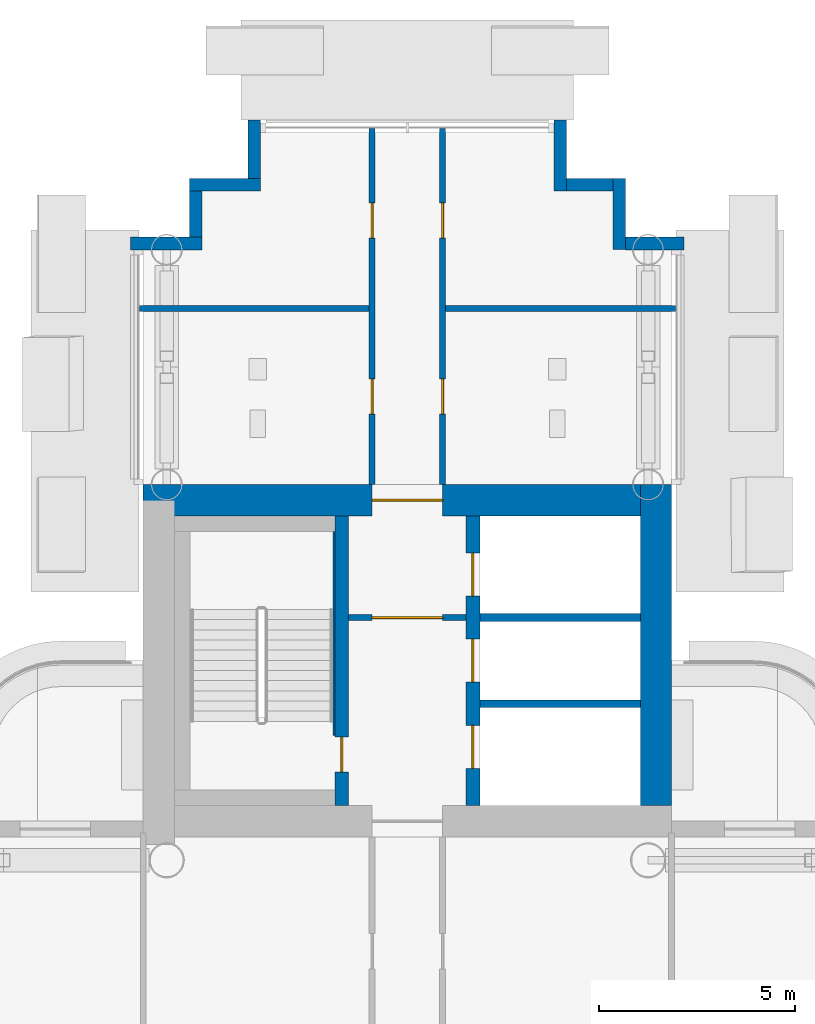
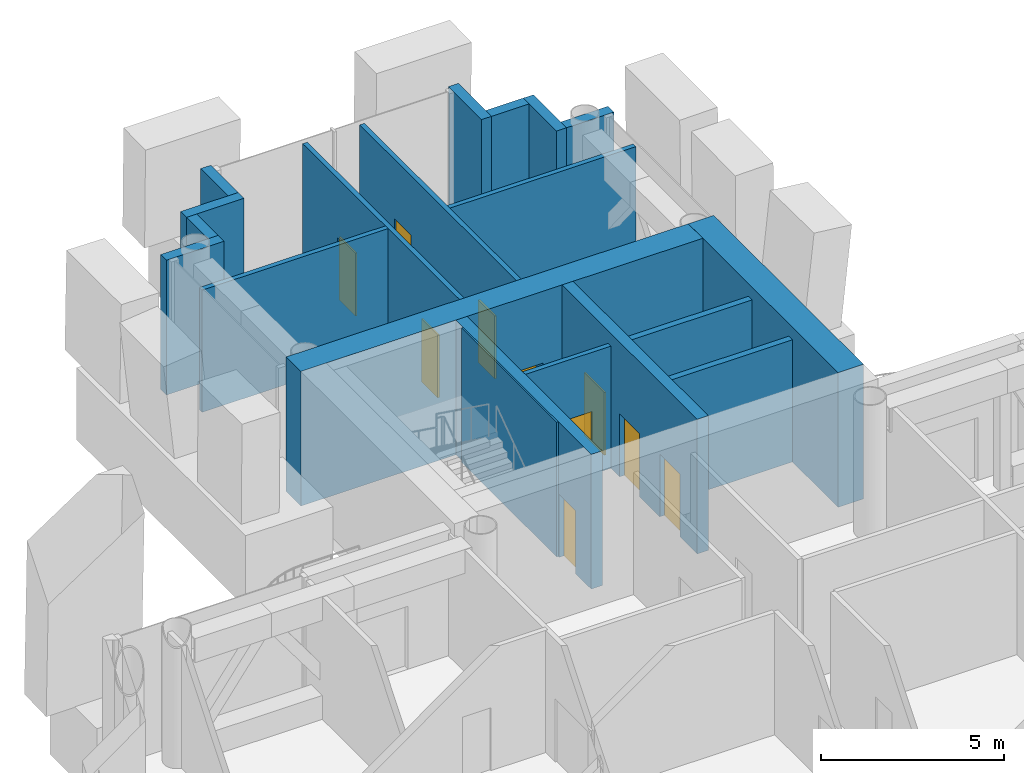
# One storey, part 17 of 26: 20 walls, 10 doors, 10 openings.
"""IFC4 building model written with IfcOpenShell, lengths in metres."""

from ifc_helpers import new_model, si_unit, direction, frame, frame_2d, origin, place, context, subcontext, project, spatial, rectangle, extrude, material, layer, layer_set, type_object, element, fill, save


model = new_model("IFC4")

# Units and contexts
model_context = context("Model", 3, precision=1e-05, world=origin(), true_north=direction((0.0, 1.0)))
body_context = subcontext(model_context, "Body", "Model", "MODEL_VIEW")
ifc_project = project(units=[si_unit("LENGTHUNIT", "METRE"), si_unit("AREAUNIT", "SQUARE_METRE"), si_unit("VOLUMEUNIT", "CUBIC_METRE"), si_unit("PLANEANGLEUNIT", "RADIAN"), si_unit("MASSUNIT", "GRAM", prefix="KILO")], contexts=[model_context])

# Site, building, storey
site_placement = place(None, origin())
site = spatial("IfcSite", under=ifc_project, at=site_placement, CompositionType="ELEMENT")
building_placement = place(site_placement, origin())
building = spatial("IfcBuilding", under=site, at=building_placement, Name="Ipe Terrace Towers", CompositionType="ELEMENT")
storey_placement = place(building_placement, frame((0.0, 0.0, 181.300048828125)))
storey = spatial("IfcBuildingStorey", under=building, at=storey_placement, Name="L50", CompositionType="ELEMENT", Elevation=181.300048828125)

# Walls
ifc_material_1 = material(Name="Concrete C40/50 with buff precast cladding", Category="concrete")
ifc_layer_1 = layer(ifc_material_1, 0.320068359375)
ifc_layer_set_1 = layer_set([ifc_layer_1], Name="BUFF CLADDING WALL 320")
wall_type_1 = type_object("IfcWallType", Name="BUFF CLADDING WALL 320", PredefinedType="STANDARD", material=ifc_layer_set_1)
wall_1_placement = place(storey_placement, frame((43.070068359375, 21.909912109375, -0.300048828125), z_axis=(0.0, 0.0, 1.0), x_axis=(-1.0, 0.0, 0.0)))
element("IfcWall", 1, at=wall_1_placement, inside=storey, type_object=wall_type_1, Name="T2-W-L50-17a wall", PredefinedType="STANDARD", context=body_context, shape_type="SweptSolid", body=[
    extrude(rectangle(XDim=1.5, YDim=0.320068359375, at=frame_2d((0.75, 0.0))), origin(), (0.0, 0.0, 1.0), 4.5),
])
wall_2_placement = place(storey_placement, frame((41.409912109375, 21.75, -0.300048828125), z_axis=(0.0, 0.0, 1.0), x_axis=(0.0, 1.0, 0.0)))
element("IfcWall", 2, at=wall_2_placement, inside=storey, type_object=wall_type_1, Name="T2-W-L50-18a wall", PredefinedType="STANDARD", context=body_context, shape_type="SweptSolid", body=[
    extrude(rectangle(XDim=1.820068359375, YDim=0.320068359375, at=frame_2d((0.91015625, 0.0))), origin(), (0.0, 0.0, 1.0), 4.5),
])
wall_3_placement = place(storey_placement, frame((41.25, 23.409912109375, -0.300048828125), z_axis=(0.0, 0.0, 1.0), x_axis=(-1.0, 0.0, 0.0)))
element("IfcWall", 3, at=wall_3_placement, inside=storey, type_object=wall_type_1, Name="T2-W-L50-19a wall", PredefinedType="STANDARD", context=body_context, shape_type="SweptSolid", body=[
    extrude(rectangle(XDim=1.179931640625, YDim=0.320068359375, at=frame_2d((0.58984375, 0.0))), origin(), (0.0, 0.0, 1.0), 4.5),
])
wall_4_placement = place(storey_placement, frame((39.909912109375, 23.25, -0.300048828125), z_axis=(0.0, 0.0, 1.0), x_axis=(0.0, 1.0, 0.0)))
element("IfcWall", 4, at=wall_4_placement, inside=storey, type_object=wall_type_1, Name="T2-W-L50-20a wall", PredefinedType="STANDARD", context=body_context, shape_type="SweptSolid", body=[
    extrude(rectangle(XDim=1.820068359375, YDim=0.320068359375, at=frame_2d((0.91015625, 0.0))), origin(), (0.0, 0.0, 1.0), 4.5),
])
wall_5_placement = place(storey_placement, frame((32.090087890625, 25.070068359375, -0.300048828125), z_axis=(0.0, 0.0, 1.0), x_axis=(0.0, -1.0, 0.0)))
element("IfcWall", 5, at=wall_5_placement, inside=storey, type_object=wall_type_1, Name="T2-W-L50-22a wall", PredefinedType="STANDARD", context=body_context, shape_type="SweptSolid", body=[
    extrude(rectangle(XDim=1.5, YDim=0.320068359375, at=frame_2d((0.75, 0.0))), origin(), (0.0, 0.0, 1.0), 4.5),
])
wall_6_placement = place(storey_placement, frame((32.25, 23.409912109375, -0.300048828125), z_axis=(0.0, 0.0, 1.0), x_axis=(-1.0, 0.0, 0.0)))
element("IfcWall", 6, at=wall_6_placement, inside=storey, type_object=wall_type_1, Name="T2-W-L50-23a wall", PredefinedType="STANDARD", context=body_context, shape_type="SweptSolid", body=[
    extrude(rectangle(XDim=1.820068359375, YDim=0.320068359375, at=frame_2d((0.91015625, 0.0))), origin(), (0.0, 0.0, 1.0), 4.5),
])
wall_7_placement = place(storey_placement, frame((30.590087890625, 23.25, -0.300048828125), z_axis=(0.0, 0.0, 1.0), x_axis=(0.0, -1.0, 0.0)))
element("IfcWall", 7, at=wall_7_placement, inside=storey, type_object=wall_type_1, Name="T2-W-L50-24a wall", PredefinedType="STANDARD", context=body_context, shape_type="SweptSolid", body=[
    extrude(rectangle(XDim=1.179931640625, YDim=0.320068359375, at=frame_2d((0.58984375, 0.0))), origin(), (0.0, 0.0, 1.0), 4.5),
])
wall_8_placement = place(storey_placement, frame((30.75, 21.909912109375, -0.300048828125), z_axis=(0.0, 0.0, 1.0), x_axis=(-1.0, 0.0, 0.0)))
element("IfcWall", 8, at=wall_8_placement, inside=storey, type_object=wall_type_1, Name="T2-W-L50-25a wall", PredefinedType="STANDARD", context=body_context, shape_type="SweptSolid", body=[
    extrude(rectangle(XDim=1.820068359375, YDim=0.320068359375, at=frame_2d((0.91015625, 0.0))), origin(), (0.0, 0.0, 1.0), 4.5),
])

# Wall, opening, door
ifc_material_2 = material(Name="Gypsum board partition", Category="plasterboard")
ifc_layer_2 = layer(ifc_material_2, 0.14990234375)
ifc_layer_set_2 = layer_set([ifc_layer_2], Name="Gypsum board partition 150 mm")
wall_type_2 = type_object("IfcWallType", Name="Gypsum board partition 150 mm", PredefinedType="PARTITIONING", material=ifc_layer_set_2)
wall_9_placement = place(storey_placement, frame((37.5, 12.35009765625, 0.0), z_axis=(0.0, 0.0, 1.0), x_axis=(-1.0, 0.0, 0.0)))
wall_9 = element("IfcWall", 9, at=wall_9_placement, inside=storey, type_object=wall_type_2, Name="Gypsum board partition T2 L50 t2c1-lobby-wall", PredefinedType="PARTITIONING", context=body_context, shape_type="SweptSolid", body=[
    extrude(rectangle(XDim=3.0, YDim=0.14990234375, at=frame_2d((1.5, 0.0))), origin(), (0.0, 0.0, 1.0), 4.079833984375),
])
opening_1_placement = place(wall_9_placement, frame((0.60009765625, 0.0, 0.0)))
opening_1 = element("IfcOpeningElement", 10, at=opening_1_placement, cuts=wall_9, Name="Opening T2C1-VD", PredefinedType="OPENING", context=body_context, shape_type="SweptSolid", body=[
    extrude(rectangle(XDim=1.800048828125, YDim=2.10009765625, at=frame_2d((0.89990234375, 1.050048828125))), frame((0.0, 0.0849609375, 0.0), z_axis=(0.0, -1.0, 0.0), x_axis=(1.0, 0.0, 0.0)), (0.0, 0.0, 1.0), 0.169921875),
])
ifc_material_3 = material(Name="Fire-rated timber door leaf", Category="wood")
door_type_1 = type_object("IfcDoorType", Name="Lobby door 1800 x 2100 FD60", OperationType="NOTDEFINED", PredefinedType="DOOR", material=ifc_material_3)
door_1_placement = place(opening_1_placement, origin())
door_1 = element("IfcDoor", 11, at=door_1_placement, inside=storey, type_object=door_type_1, Name="Lobby door T2C1-VD", OperationType="SINGLE_SWING_LEFT", OverallHeight=2.10009765625, OverallWidth=1.800048828125, PredefinedType="DOOR", context=body_context, shape_type="SweptSolid", body=[
    extrude(rectangle(XDim=1.800048828125, YDim=2.10009765625, at=frame_2d((0.89990234375, 1.050048828125))), frame((0.0, 0.02490234375, 0.0), z_axis=(0.0, -1.0, 0.0), x_axis=(1.0, 0.0, 0.0)), (0.0, 0.0, 1.0), 0.050048828125),
])
fill(opening_1, door_1)

# Wall, openings, doors
wall_10_placement = place(storey_placement, frame((35.10009765625, 15.75, 0.0), z_axis=(0.0, 0.0, 1.0), x_axis=(0.0, 1.0, 0.0)))
wall_10 = element("IfcWall", 12, at=wall_10_placement, inside=storey, type_object=wall_type_2, Name="Gypsum board partition T2 L50 sp-Lp-wp", PredefinedType="PARTITIONING", context=body_context, shape_type="SweptSolid", body=[
    extrude(rectangle(XDim=9.10009765625, YDim=0.14990234375, at=frame_2d((4.550048828125, 0.0))), origin(), (0.0, 0.0, 1.0), 4.079833984375),
])
opening_2_placement = place(wall_10_placement, frame((1.800048828125, 0.0, 0.0)))
opening_2 = element("IfcOpeningElement", 13, at=opening_2_placement, cuts=wall_10, Name="Opening T2-SP-PLp1", PredefinedType="OPENING", context=body_context, shape_type="SweptSolid", body=[
    extrude(rectangle(XDim=0.89990234375, YDim=2.10009765625, at=frame_2d((0.449951171875, 1.050048828125))), frame((0.0, 0.0849609375, 0.0), z_axis=(0.0, -1.0, 0.0), x_axis=(1.0, 0.0, 0.0)), (0.0, 0.0, 1.0), 0.169921875),
])
opening_3_placement = place(wall_10_placement, frame((6.300048828125, 0.0, 0.0)))
opening_3 = element("IfcOpeningElement", 14, at=opening_3_placement, cuts=wall_10, Name="Opening T2-SP-PLp2", PredefinedType="OPENING", context=body_context, shape_type="SweptSolid", body=[
    extrude(rectangle(XDim=0.89990234375, YDim=2.10009765625, at=frame_2d((0.449951171875, 1.050048828125))), frame((0.0, 0.0849609375, 0.0), z_axis=(0.0, -1.0, 0.0), x_axis=(1.0, 0.0, 0.0)), (0.0, 0.0, 1.0), 0.169921875),
])
ifc_material_4 = material(Name="Timber door leaf", Category="wood")
door_type_2 = type_object("IfcDoorType", Name="Lounge door 900 x 2100", OperationType="NOTDEFINED", PredefinedType="DOOR", material=ifc_material_4)
door_2_placement = place(opening_2_placement, origin())
door_2 = element("IfcDoor", 15, at=door_2_placement, inside=storey, type_object=door_type_2, Name="Lounge door T2-SP-PLp1", OperationType="SINGLE_SWING_RIGHT", OverallHeight=2.10009765625, OverallWidth=0.89990234375, PredefinedType="DOOR", context=body_context, shape_type="SweptSolid", body=[
    extrude(rectangle(XDim=0.89990234375, YDim=2.10009765625, at=frame_2d((0.449951171875, 1.050048828125))), frame((0.0, 0.02490234375, 0.0), z_axis=(0.0, -1.0, 0.0), x_axis=(1.0, 0.0, 0.0)), (0.0, 0.0, 1.0), 0.050048828125),
])
fill(opening_2, door_2)
ifc_material_5 = material(Name="Fire-rated timber door leaf", Category="wood")
door_type_3 = type_object("IfcDoorType", Name="Lounge door 900 x 2100 FD30S", OperationType="NOTDEFINED", PredefinedType="DOOR", material=ifc_material_5)
door_3_placement = place(opening_3_placement, origin())
door_3 = element("IfcDoor", 16, at=door_3_placement, inside=storey, type_object=door_type_3, Name="Lounge door T2-SP-PLp2", OperationType="SINGLE_SWING_LEFT", OverallHeight=2.10009765625, OverallWidth=0.89990234375, PredefinedType="DOOR", context=body_context, shape_type="SweptSolid", body=[
    extrude(rectangle(XDim=0.89990234375, YDim=2.10009765625, at=frame_2d((0.449951171875, 1.050048828125))), frame((0.0, 0.02490234375, 0.0), z_axis=(0.0, -1.0, 0.0), x_axis=(1.0, 0.0, 0.0)), (0.0, 0.0, 1.0), 0.050048828125),
])
fill(opening_3, door_3)

# Wall
wall_11_placement = place(storey_placement, frame((35.02490234375, 20.25, 0.0), z_axis=(0.0, 0.0, 1.0), x_axis=(-1.0, 0.0, 0.0)))
element("IfcWall", 17, at=wall_11_placement, inside=storey, type_object=wall_type_2, Name="Gypsum board partition T2 L50 sp-Lp-dp1", PredefinedType="PARTITIONING", context=body_context, shape_type="SweptSolid", body=[
    extrude(rectangle(XDim=5.875, YDim=0.14990234375, at=frame_2d((2.9375, 0.0))), origin(), (0.0, 0.0, 1.0), 4.079833984375),
])

# Wall, openings, doors
wall_12_placement = place(storey_placement, frame((36.89990234375, 15.75, 0.0), z_axis=(0.0, 0.0, 1.0), x_axis=(0.0, 1.0, 0.0)))
wall_12 = element("IfcWall", 18, at=wall_12_placement, inside=storey, type_object=wall_type_2, Name="Gypsum board partition T2 L50 sp-Lp-wm", PredefinedType="PARTITIONING", context=body_context, shape_type="SweptSolid", body=[
    extrude(rectangle(XDim=9.10009765625, YDim=0.14990234375, at=frame_2d((4.550048828125, 0.0))), origin(), (0.0, 0.0, 1.0), 4.079833984375),
])
opening_4_placement = place(wall_12_placement, frame((1.800048828125, 0.0, 0.0)))
opening_4 = element("IfcOpeningElement", 19, at=opening_4_placement, cuts=wall_12, Name="Opening T2-SP-MLp1", PredefinedType="OPENING", context=body_context, shape_type="SweptSolid", body=[
    extrude(rectangle(XDim=0.89990234375, YDim=2.10009765625, at=frame_2d((0.449951171875, 1.050048828125))), frame((0.0, 0.0849609375, 0.0), z_axis=(0.0, -1.0, 0.0), x_axis=(1.0, 0.0, 0.0)), (0.0, 0.0, 1.0), 0.169921875),
])
opening_5_placement = place(wall_12_placement, frame((6.300048828125, 0.0, 0.0)))
opening_5 = element("IfcOpeningElement", 20, at=opening_5_placement, cuts=wall_12, Name="Opening T2-SP-MLp2", PredefinedType="OPENING", context=body_context, shape_type="SweptSolid", body=[
    extrude(rectangle(XDim=0.89990234375, YDim=2.10009765625, at=frame_2d((0.449951171875, 1.050048828125))), frame((0.0, 0.0849609375, 0.0), z_axis=(0.0, -1.0, 0.0), x_axis=(1.0, 0.0, 0.0)), (0.0, 0.0, 1.0), 0.169921875),
])
door_4_placement = place(opening_4_placement, origin())
door_4 = element("IfcDoor", 21, at=door_4_placement, inside=storey, type_object=door_type_2, Name="Lounge door T2-SP-MLp1", OperationType="SINGLE_SWING_LEFT", OverallHeight=2.10009765625, OverallWidth=0.89990234375, PredefinedType="DOOR", context=body_context, shape_type="SweptSolid", body=[
    extrude(rectangle(XDim=0.89990234375, YDim=2.10009765625, at=frame_2d((0.449951171875, 1.050048828125))), frame((0.0, 0.02490234375, 0.0), z_axis=(0.0, -1.0, 0.0), x_axis=(1.0, 0.0, 0.0)), (0.0, 0.0, 1.0), 0.050048828125),
])
fill(opening_4, door_4)
door_5_placement = place(opening_5_placement, origin())
door_5 = element("IfcDoor", 22, at=door_5_placement, inside=storey, type_object=door_type_3, Name="Lounge door T2-SP-MLp2", OperationType="SINGLE_SWING_RIGHT", OverallHeight=2.10009765625, OverallWidth=0.89990234375, PredefinedType="DOOR", context=body_context, shape_type="SweptSolid", body=[
    extrude(rectangle(XDim=0.89990234375, YDim=2.10009765625, at=frame_2d((0.449951171875, 1.050048828125))), frame((0.0, 0.02490234375, 0.0), z_axis=(0.0, -1.0, 0.0), x_axis=(1.0, 0.0, 0.0)), (0.0, 0.0, 1.0), 0.050048828125),
])
fill(opening_5, door_5)

# Walls
wall_13_placement = place(storey_placement, frame((36.97509765625, 20.25, 0.0), z_axis=(0.0, 0.0, 1.0), x_axis=(1.0, 0.0, 0.0)))
element("IfcWall", 23, at=wall_13_placement, inside=storey, type_object=wall_type_2, Name="Gypsum board partition T2 L50 sp-Lp-dm1", PredefinedType="PARTITIONING", context=body_context, shape_type="SweptSolid", body=[
    extrude(rectangle(XDim=5.875, YDim=0.14990234375, at=frame_2d((2.9375, 0.0))), origin(), (0.0, 0.0, 1.0), 4.079833984375),
])
ifc_material_6 = material(Name="Gypsum board party wall", Category="plasterboard")
ifc_layer_3 = layer(ifc_material_6, 0.199951171875)
ifc_layer_set_3 = layer_set([ifc_layer_3], Name="Gypsum board party wall 200 mm")
wall_type_3 = type_object("IfcWallType", Name="Gypsum board party wall 200 mm", PredefinedType="SOLIDWALL", material=ifc_layer_set_3)
for number, where, z_axis, x_axis, name in (
    (24, (41.949951171875, 10.14990234375, 0.0), (0.0, 0.0, 1.0), (-1.0, 0.0, 0.0), "Gypsum board party wall T2 L50 t2c1-shaft-div1"),
    (25, (41.949951171875, 12.35009765625, 0.0), (0.0, 0.0, 1.0), (-1.0, 0.0, 0.0), "Gypsum board party wall T2 L50 t2c1-shaft-div2"),
):
    element("IfcWall", number, at=place(storey_placement, frame(where, z_axis=z_axis, x_axis=x_axis)), inside=storey, type_object=wall_type_3, Name=name, PredefinedType="SOLIDWALL", context=body_context, shape_type="SweptSolid", body=[
        extrude(rectangle(XDim=4.099853515625, YDim=0.199951171875, at=frame_2d((2.0498046875, 0.0))), origin(), (0.0, 0.0, 1.0), 4.079833984375),
    ])

# Wall, opening, door
ifc_material_7 = material(Name="Concrete C50/60", Category="concrete")
ifc_layer_4 = layer(ifc_material_7, 0.35009765625)
ifc_layer_set_4 = layer_set([ifc_layer_4], Name="RW350 CORE SPINE WALL 350 C50-60")
wall_type_4 = type_object("IfcWallType", Name="RW350 CORE SPINE WALL 350 C50-60", PredefinedType="SHEAR", material=ifc_layer_set_4)
wall_14_placement = place(storey_placement, frame((34.324951171875, 7.550048828125, 0.0), z_axis=(0.0, 0.0, 1.0), x_axis=(0.0, 1.0, 0.0)))
wall_14 = element("IfcWall", 26, at=wall_14_placement, inside=storey, type_object=wall_type_4, Name="Core spine wall T2-C1-Z3-SW1", PredefinedType="SHEAR", context=body_context, shape_type="SweptSolid", body=[
    extrude(rectangle(XDim=7.39990234375, YDim=0.35009765625, at=frame_2d((3.699951171875, 0.0))), origin(), (0.0, 0.0, 1.0), 4.5),
])
opening_6_placement = place(wall_14_placement, frame((0.85009765625, 0.0, 0.0)))
opening_6 = element("IfcOpeningElement", 27, at=opening_6_placement, cuts=wall_14, Name="Opening T2C1-SD", PredefinedType="OPENING", context=body_context, shape_type="SweptSolid", body=[
    extrude(rectangle(XDim=0.89990234375, YDim=2.10009765625, at=frame_2d((0.449951171875, 1.050048828125))), frame((0.0, 0.18505859375, 0.0), z_axis=(0.0, -1.0, 0.0), x_axis=(1.0, 0.0, 0.0)), (0.0, 0.0, 1.0), 0.3701171875),
])
ifc_material_8 = material(Name="Fire-rated timber door leaf", Category="wood")
door_type_4 = type_object("IfcDoorType", Name="Stair door 900 x 2100 FD60", OperationType="NOTDEFINED", PredefinedType="DOOR", material=ifc_material_8)
door_6_placement = place(opening_6_placement, origin())
door_6 = element("IfcDoor", 28, at=door_6_placement, inside=storey, type_object=door_type_4, Name="Stair door T2C1-SD", OperationType="SINGLE_SWING_LEFT", OverallHeight=2.10009765625, OverallWidth=0.89990234375, PredefinedType="DOOR", context=body_context, shape_type="SweptSolid", body=[
    extrude(rectangle(XDim=0.89990234375, YDim=2.10009765625, at=frame_2d((0.449951171875, 1.050048828125))), frame((0.0, 0.02490234375, 0.0), z_axis=(0.0, -1.0, 0.0), x_axis=(1.0, 0.0, 0.0)), (0.0, 0.0, 1.0), 0.050048828125),
])
fill(opening_6, door_6)

# Wall, openings, doors
wall_15_placement = place(storey_placement, frame((37.675048828125, 7.550048828125, 0.0), z_axis=(0.0, 0.0, 1.0), x_axis=(0.0, 1.0, 0.0)))
wall_15 = element("IfcWall", 29, at=wall_15_placement, inside=storey, type_object=wall_type_4, Name="Core spine wall T2-C1-Z3-SW2", PredefinedType="SHEAR", context=body_context, shape_type="SweptSolid", body=[
    extrude(rectangle(XDim=7.39990234375, YDim=0.35009765625, at=frame_2d((3.699951171875, 0.0))), origin(), (0.0, 0.0, 1.0), 4.5),
])
opening_7_placement = place(wall_15_placement, frame((0.949951171875, 0.0, 0.0)))
opening_7 = element("IfcOpeningElement", 30, at=opening_7_placement, cuts=wall_15, Name="Opening T2C1-LD1", PredefinedType="OPENING", context=body_context, shape_type="SweptSolid", body=[
    extrude(rectangle(XDim=1.10009765625, YDim=2.10009765625, at=frame_2d((0.550048828125, 1.050048828125))), frame((0.0, 0.18505859375, 0.0), z_axis=(0.0, -1.0, 0.0), x_axis=(1.0, 0.0, 0.0)), (0.0, 0.0, 1.0), 0.3701171875),
])
opening_8_placement = place(wall_15_placement, frame((3.14990234375, 0.0, 0.0)))
opening_8 = element("IfcOpeningElement", 31, at=opening_8_placement, cuts=wall_15, Name="Opening T2C1-LD2", PredefinedType="OPENING", context=body_context, shape_type="SweptSolid", body=[
    extrude(rectangle(XDim=1.10009765625, YDim=2.10009765625, at=frame_2d((0.550048828125, 1.050048828125))), frame((0.0, 0.18505859375, 0.0), z_axis=(0.0, -1.0, 0.0), x_axis=(1.0, 0.0, 0.0)), (0.0, 0.0, 1.0), 0.3701171875),
])
opening_9_placement = place(wall_15_placement, frame((5.35009765625, 0.0, 0.0)))
opening_9 = element("IfcOpeningElement", 32, at=opening_9_placement, cuts=wall_15, Name="Opening T2C1-LD3", PredefinedType="OPENING", context=body_context, shape_type="SweptSolid", body=[
    extrude(rectangle(XDim=1.10009765625, YDim=2.10009765625, at=frame_2d((0.550048828125, 1.050048828125))), frame((0.0, 0.18505859375, 0.0), z_axis=(0.0, -1.0, 0.0), x_axis=(1.0, 0.0, 0.0)), (0.0, 0.0, 1.0), 0.3701171875),
])
ifc_material_9 = material(Name="Fire-rated timber door leaf", Category="wood")
door_type_5 = type_object("IfcDoorType", Name="Sliding door 1100 x 2100 FD60", OperationType="SLIDING_TO_LEFT", PredefinedType="DOOR", material=ifc_material_9)
door_7_placement = place(opening_7_placement, origin())
door_7 = element("IfcDoor", 33, at=door_7_placement, inside=storey, type_object=door_type_5, Name="Sliding door T2C1-LD1", OperationType="SLIDING_TO_LEFT", OverallHeight=2.10009765625, OverallWidth=1.10009765625, PredefinedType="DOOR", context=body_context, shape_type="SweptSolid", body=[
    extrude(rectangle(XDim=1.10009765625, YDim=2.10009765625, at=frame_2d((0.550048828125, 1.050048828125))), frame((0.0, 0.02490234375, 0.0), z_axis=(0.0, -1.0, 0.0), x_axis=(1.0, 0.0, 0.0)), (0.0, 0.0, 1.0), 0.050048828125),
])
fill(opening_7, door_7)
door_8_placement = place(opening_8_placement, origin())
door_8 = element("IfcDoor", 34, at=door_8_placement, inside=storey, type_object=door_type_5, Name="Sliding door T2C1-LD2", OperationType="SLIDING_TO_LEFT", OverallHeight=2.10009765625, OverallWidth=1.10009765625, PredefinedType="DOOR", context=body_context, shape_type="SweptSolid", body=[
    extrude(rectangle(XDim=1.10009765625, YDim=2.10009765625, at=frame_2d((0.550048828125, 1.050048828125))), frame((0.0, 0.02490234375, 0.0), z_axis=(0.0, -1.0, 0.0), x_axis=(1.0, 0.0, 0.0)), (0.0, 0.0, 1.0), 0.050048828125),
])
fill(opening_8, door_8)
door_9_placement = place(opening_9_placement, origin())
door_9 = element("IfcDoor", 35, at=door_9_placement, inside=storey, type_object=door_type_5, Name="Sliding door T2C1-LD3", OperationType="SLIDING_TO_LEFT", OverallHeight=2.10009765625, OverallWidth=1.10009765625, PredefinedType="DOOR", context=body_context, shape_type="SweptSolid", body=[
    extrude(rectangle(XDim=1.10009765625, YDim=2.10009765625, at=frame_2d((0.550048828125, 1.050048828125))), frame((0.0, 0.02490234375, 0.0), z_axis=(0.0, -1.0, 0.0), x_axis=(1.0, 0.0, 0.0)), (0.0, 0.0, 1.0), 0.050048828125),
])
fill(opening_9, door_9)

# Walls
ifc_material_10 = material(Name="Concrete C50/60", Category="concrete")
ifc_layer_5 = layer(ifc_material_10, 0.050048828125)
ifc_layer_set_5 = layer_set([ifc_layer_5], Name="RW50 CORE INFILL WALL 50 C50-60")
wall_type_5 = type_object("IfcWallType", Name="RW50 CORE INFILL WALL 50 C50-60", PredefinedType="SHEAR", material=ifc_layer_set_5)
wall_16_placement = place(storey_placement, frame((34.125, 9.35009765625, 0.0), z_axis=(0.0, 0.0, 1.0), x_axis=(0.0, 1.0, 0.0)))
element("IfcWall", 36, at=wall_16_placement, inside=storey, type_object=wall_type_5, Name="Core infill wall T2-C1-spine-b", PredefinedType="SHEAR", context=body_context, shape_type="SweptSolid", body=[
    extrude(rectangle(XDim=5.199951171875, YDim=0.050048828125, at=frame_2d((2.60009765625, 0.0))), origin(), (0.0, 0.0, 1.0), 4.5),
])
ifc_material_11 = material(Name="Concrete C50/60", Category="concrete")
ifc_layer_6 = layer(ifc_material_11, 0.800048828125)
ifc_layer_set_6 = layer_set([ifc_layer_6], Name="RW800 CORE WALL 800 C50-60")
wall_type_6 = type_object("IfcWallType", Name="RW800 CORE WALL 800 C50-60", PredefinedType="SHEAR", material=ifc_layer_set_6)
wall_17_placement = place(storey_placement, frame((42.35009765625, 7.550048828125, 0.0), z_axis=(0.0, 0.0, 1.0), x_axis=(0.0, 1.0, 0.0)))
element("IfcWall", 37, at=wall_17_placement, inside=storey, type_object=wall_type_6, Name="Core wall T2-C1-Z3-W02", PredefinedType="SHEAR", context=body_context, shape_type="SweptSolid", body=[
    extrude(rectangle(XDim=8.199951171875, YDim=0.800048828125, at=frame_2d((4.10009765625, 0.0))), origin(), (0.0, 0.0, 1.0), 4.5),
])

# Wall, opening, door
wall_18_placement = place(storey_placement, frame((41.949951171875, 15.35009765625, 0.0), z_axis=(0.0, 0.0, 1.0), x_axis=(-1.0, 0.0, 0.0)))
wall_18 = element("IfcWall", 38, at=wall_18_placement, inside=storey, type_object=wall_type_6, Name="Core wall T2-C1-Z3-W03", PredefinedType="SHEAR", context=body_context, shape_type="SweptSolid", body=[
    extrude(rectangle(XDim=12.699951171875, YDim=0.800048828125, at=frame_2d((6.35009765625, 0.0))), origin(), (0.0, 0.0, 1.0), 4.5),
])
opening_10_placement = place(wall_18_placement, frame((5.050048828125, 0.0, 0.0)))
opening_10 = element("IfcOpeningElement", 39, at=opening_10_placement, cuts=wall_18, Name="Opening T2C1-FD", PredefinedType="OPENING", context=body_context, shape_type="SweptSolid", body=[
    extrude(rectangle(XDim=1.800048828125, YDim=2.10009765625, at=frame_2d((0.89990234375, 1.050048828125))), frame((0.0, 0.41015625, 0.0), z_axis=(0.0, -1.0, 0.0), x_axis=(1.0, 0.0, 0.0)), (0.0, 0.0, 1.0), 0.820068359375),
])
ifc_material_12 = material(Name="Fire-rated timber door leaf", Category="wood")
door_type_6 = type_object("IfcDoorType", Name="Fire door 1800 x 2100 FD30S", OperationType="NOTDEFINED", PredefinedType="DOOR", material=ifc_material_12)
door_10_placement = place(opening_10_placement, origin())
door_10 = element("IfcDoor", 40, at=door_10_placement, inside=storey, type_object=door_type_6, Name="Fire door T2C1-FD", OperationType="SINGLE_SWING_LEFT", OverallHeight=2.10009765625, OverallWidth=1.800048828125, PredefinedType="DOOR", context=body_context, shape_type="SweptSolid", body=[
    extrude(rectangle(XDim=1.800048828125, YDim=2.10009765625, at=frame_2d((0.89990234375, 1.050048828125))), frame((0.0, 0.02490234375, 0.0), z_axis=(0.0, -1.0, 0.0), x_axis=(1.0, 0.0, 0.0)), (0.0, 0.0, 1.0), 0.050048828125),
])
fill(opening_10, door_10)

save(model, "model.ifc")
